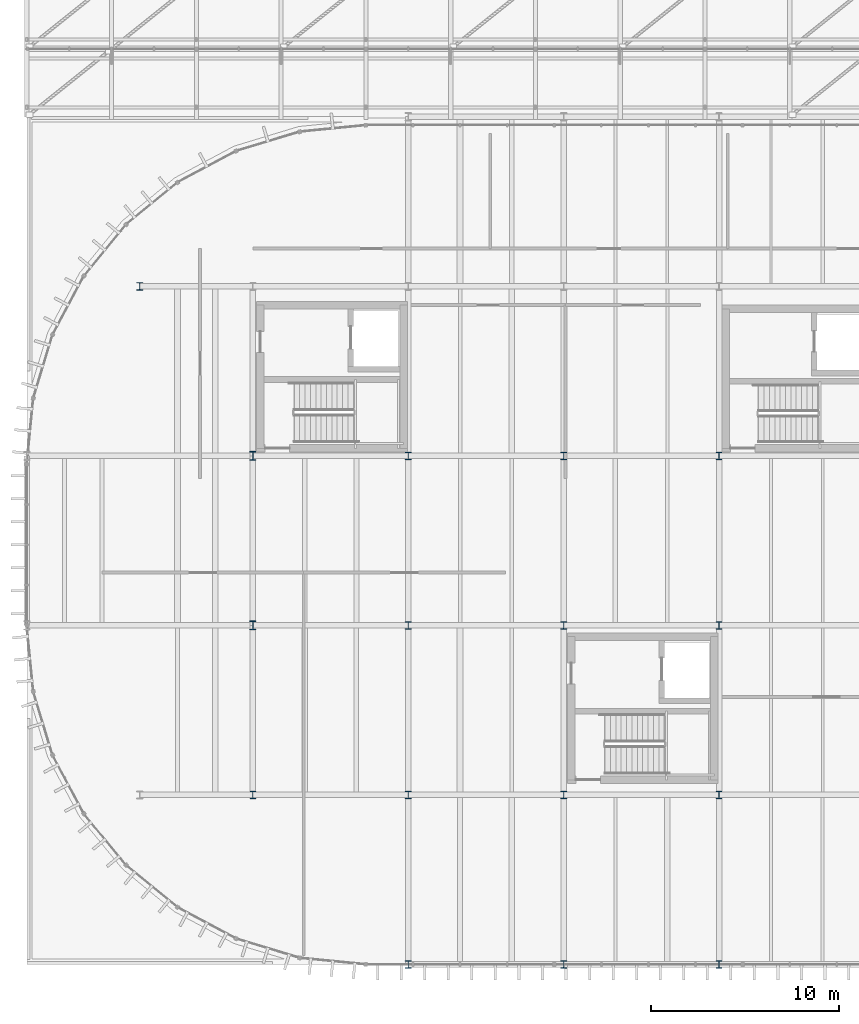
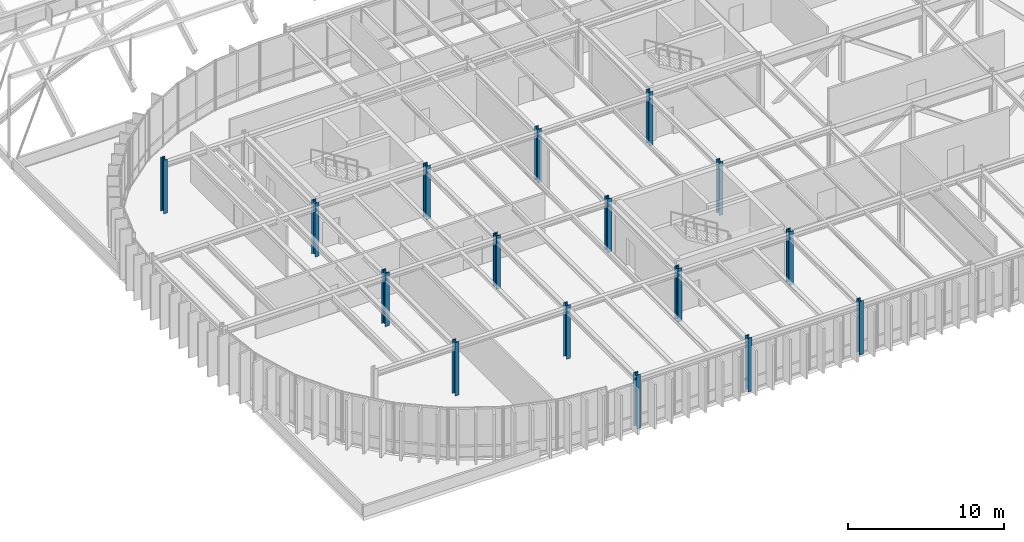
# One storey, part 3 of 69: 16 columns.
"""IFC4 building model written with IfcOpenShell, lengths in metres."""

from ifc_helpers import new_model, si_unit, direction, frame, origin, origin_2d, place, context, subcontext, project, spatial, i_section, extrude, material, material_profile, profile_set, type_object, element, save


model = new_model("IFC4")

# Units and contexts
model_context = context("Model", 3, precision=1e-05, world=origin(), true_north=direction((0.0, 1.0)))
body_context = subcontext(model_context, "Body", "Model", "MODEL_VIEW")
ifc_project = project(units=[si_unit("LENGTHUNIT", "METRE"), si_unit("AREAUNIT", "SQUARE_METRE"), si_unit("VOLUMEUNIT", "CUBIC_METRE"), si_unit("PLANEANGLEUNIT", "RADIAN"), si_unit("MASSUNIT", "GRAM", prefix="KILO")], contexts=[model_context])

# Site, building, storey
site_placement = place(None, origin())
site = spatial("IfcSite", under=ifc_project, at=site_placement, CompositionType="ELEMENT")
building_placement = place(site_placement, origin())
building = spatial("IfcBuilding", under=site, at=building_placement, Name="Montealbar Specialist Clinic", CompositionType="ELEMENT")
storey_placement = place(building_placement, frame((0.0, 0.0, 9.60009765625)))
storey = spatial("IfcBuildingStorey", under=building, at=storey_placement, Name="L02", CompositionType="ELEMENT", Elevation=9.60009765625)

# Columns
ifc_material = material(Name="Steel S355", Category="steel")
ifc_material_profile_1 = material_profile(ifc_material, i_section(OverallWidth=0.306884765625, OverallDepth=0.47802734375, WebThickness=0.02099609375, FlangeThickness=0.0400390625, FilletRadius=0.027099609375, at=origin_2d()), Name="HEM 450", Category="steel")
ifc_profile_set_1 = profile_set([ifc_material_profile_1], Name="Steel S355")
column_type_1 = type_object("IfcColumnType", Name="COL-S-L01-MEGA", PredefinedType="COLUMN", material=ifc_profile_set_1)
for number, where, z_axis, x_axis, name in (
    (1, (66.0, 18.0, 0.0), (0.0, 0.0, 1.0), (1.0, 0.0, 0.0), "Column 9/C L02"),
    (2, (66.0, 27.0, 0.0), (0.0, 0.0, 1.0), (1.0, 0.0, 0.0), "Column 9/D L02"),
):
    element("IfcColumn", number, at=place(storey_placement, frame(where, z_axis=z_axis, x_axis=x_axis)), inside=storey, type_object=column_type_1, Name=name, PredefinedType="COLUMN", context=body_context, shape_type="SweptSolid", body=[
        extrude(i_section(OverallWidth=0.306884765625, OverallDepth=0.47802734375, WebThickness=0.02099609375, FlangeThickness=0.0400390625, FilletRadius=0.027099609375, at=origin_2d()), origin(), (0.0, 0.0, 1.0), 4.199951171875),
    ])
ifc_material_profile_2 = material_profile(ifc_material, i_section(OverallWidth=0.300048828125, OverallDepth=0.39990234375, WebThickness=0.013427734375, FlangeThickness=0.02392578125, FilletRadius=0.027099609375, at=origin_2d()), Name="HEB 400", Category="steel")
ifc_profile_set_2 = profile_set([ifc_material_profile_2], Name="Steel S355")
column_type_2 = type_object("IfcColumnType", Name="COL-S-L02-STD", PredefinedType="COLUMN", material=ifc_profile_set_2)
for number, where, z_axis, x_axis, name in (
    (3, (60.0, 36.0, 0.0), (0.0, 0.0, 1.0), (1.0, 0.0, 0.0), "Column 8/E L02"),
    (4, (66.0, 9.0, 0.0), (0.0, 0.0, 1.0), (1.0, 0.0, 0.0), "Column 9/B L02"),
    (5, (74.25, 9.0, 0.0), (0.0, 0.0, 1.0), (1.0, 0.0, 0.0), "Column 10/B L02"),
    (6, (74.25, 18.0, 0.0), (0.0, 0.0, 1.0), (1.0, 0.0, 0.0), "Column 10/C L02"),
    (7, (74.25, 27.0, 0.0), (0.0, 0.0, 1.0), (1.0, 0.0, 0.0), "Column 10/D L02"),
    (8, (82.5, 9.0, 0.0), (0.0, 0.0, 1.0), (1.0, 0.0, 0.0), "Column 11/B L02"),
    (9, (82.5, 18.0, 0.0), (0.0, 0.0, 1.0), (1.0, 0.0, 0.0), "Column 11/C L02"),
    (10, (82.5, 27.0, 0.0), (0.0, 0.0, 1.0), (1.0, 0.0, 0.0), "Column 11/D L02"),
    (11, (90.75, 9.0, 0.0), (0.0, 0.0, 1.0), (1.0, 0.0, 0.0), "Column 12/B L02"),
    (12, (90.75, 18.0, 0.0), (0.0, 0.0, 1.0), (1.0, 0.0, 0.0), "Column 12/C L02"),
    (13, (90.75, 27.0, 0.0), (0.0, 0.0, 1.0), (1.0, 0.0, 0.0), "Column 12/D L02"),
):
    element("IfcColumn", number, at=place(storey_placement, frame(where, z_axis=z_axis, x_axis=x_axis)), inside=storey, type_object=column_type_2, Name=name, PredefinedType="COLUMN", context=body_context, shape_type="SweptSolid", body=[
        extrude(i_section(OverallWidth=0.300048828125, OverallDepth=0.39990234375, WebThickness=0.013427734375, FlangeThickness=0.02392578125, FilletRadius=0.027099609375, at=origin_2d()), origin(), (0.0, 0.0, 1.0), 4.199951171875),
    ])
ifc_material_profile_3 = material_profile(ifc_material, i_section(OverallWidth=0.300048828125, OverallDepth=0.39990234375, WebThickness=0.013427734375, FlangeThickness=0.02392578125, FilletRadius=0.027099609375, at=origin_2d()), Name="HEB 400", Category="steel")
ifc_profile_set_3 = profile_set([ifc_material_profile_3], Name="Steel S355")
column_type_3 = type_object("IfcColumnType", Name="COL-S-L02-STD-EXT", PredefinedType="COLUMN", material=ifc_profile_set_3)
for number, where, z_axis, x_axis, name in (
    (14, (74.25, 0.0, 0.0), (0.0, 0.0, 1.0), (1.0, 0.0, 0.0), "Column 10/A L02"),
    (15, (82.5, 0.0, 0.0), (0.0, 0.0, 1.0), (1.0, 0.0, 0.0), "Column 11/A L02"),
    (16, (90.75, 0.0, 0.0), (0.0, 0.0, 1.0), (1.0, 0.0, 0.0), "Column 12/A L02"),
):
    element("IfcColumn", number, at=place(storey_placement, frame(where, z_axis=z_axis, x_axis=x_axis)), inside=storey, type_object=column_type_3, Name=name, PredefinedType="COLUMN", context=body_context, shape_type="SweptSolid", body=[
        extrude(i_section(OverallWidth=0.300048828125, OverallDepth=0.39990234375, WebThickness=0.013427734375, FlangeThickness=0.02392578125, FilletRadius=0.027099609375, at=origin_2d()), origin(), (0.0, 0.0, 1.0), 4.199951171875),
    ])

save(model, "model.ifc")
